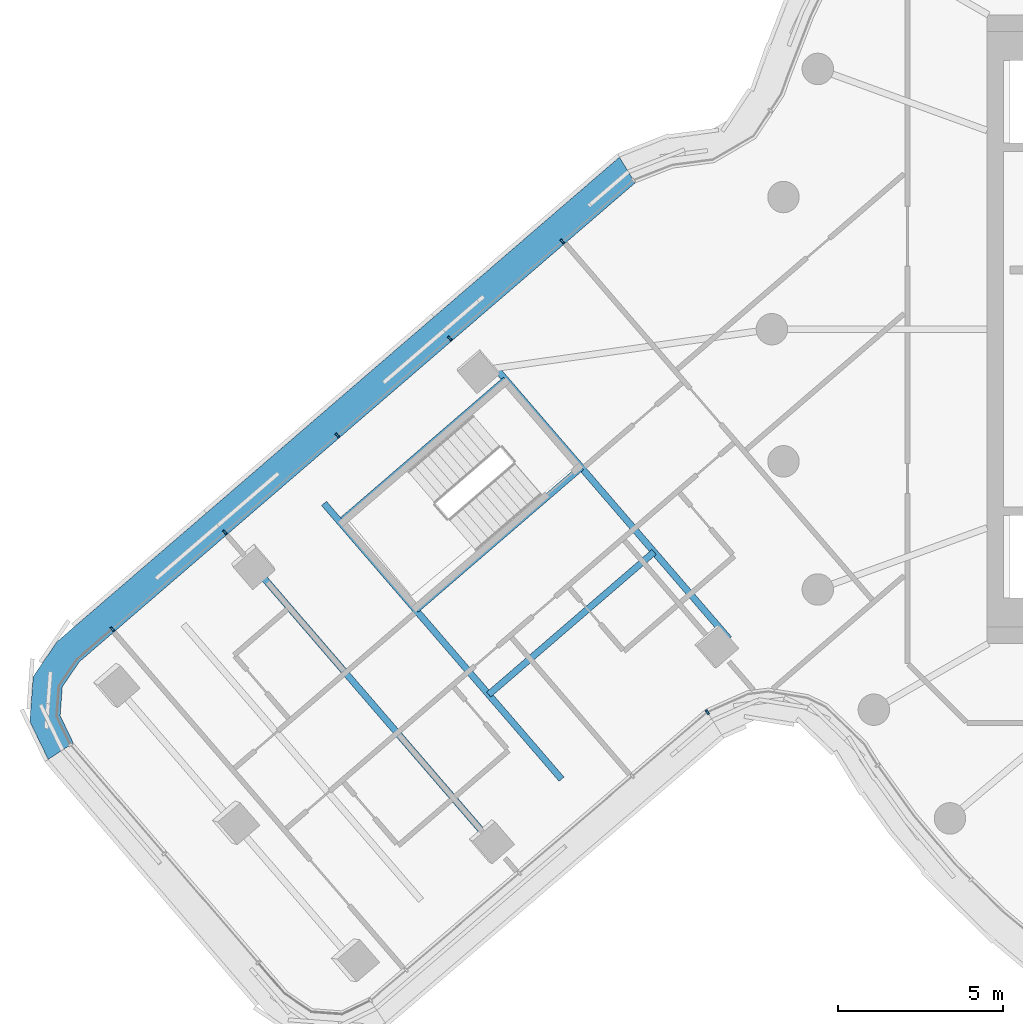
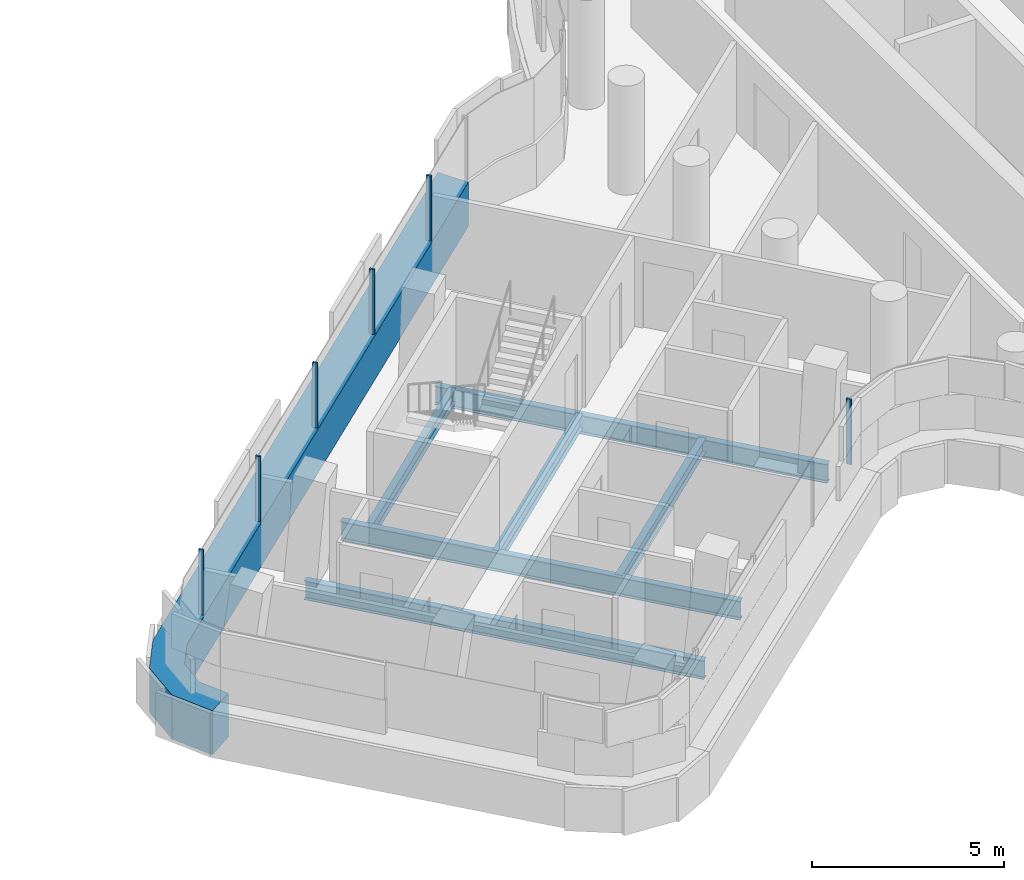
# One storey, part 8 of 34: 7 members, 6 beams, 2 elements without a shape of their own.
"""IFC4 building model written with IfcOpenShell, lengths in metres."""

import ifcopenshell
import ifcopenshell.guid

model = None  # the IFC model being written
_history = None  # IfcOwnerHistory: only IFC2X3 demands one
_inside = {}  # id of a spatial element -> (the spatial element, [elements in it])
_under = {}  # id of a project, library or spatial element -> (it, [spatial elements below it])
_declared = {}  # id of a project -> (the project, [libraries it declares])
_typed = {}  # id of a type object -> (the type object, [elements of that type])
_made_of = {}  # id of a material, layer set ... -> (it, [elements and type objects made of it])


def new_model(schema):
    """Start an empty IFC model of exactly this schema.

    Asked for "IFC4X3", IfcOpenShell would pick the latest addendum, in which some entities
    have other attributes; the version numbers below select the first issue.
    IFC2X3 requires an IfcOwnerHistory on every rooted entity: one is made here for all.
    """
    global model, _history
    if schema == "IFC4X3":
        model = ifcopenshell.file(schema_version=(4, 3, 0, 0))
    else:
        model = ifcopenshell.file(schema=schema)
    _inside.clear()
    _under.clear()
    _declared.clear()
    _typed.clear()
    _made_of.clear()
    _history = None
    if model.schema == "IFC2X3":
        org = make("IfcOrganization", Name="unknown")
        user = make(
            "IfcPersonAndOrganization",
            ThePerson=make("IfcPerson", FamilyName="unknown"),
            TheOrganization=org,
        )
        app = make(
            "IfcApplication",
            ApplicationDeveloper=org,
            Version="unknown",
            ApplicationFullName="unknown",
            ApplicationIdentifier="unknown",
        )
        _history = make(
            "IfcOwnerHistory",
            OwningUser=user,
            OwningApplication=app,
            ChangeAction="ADDED",
            CreationDate=0,
        )
    return model


def make(cls, **values):
    """One entity of the class cls with the attributes given. An attribute that is None is left unset."""
    return model.create_entity(
        cls, **{name: value for name, value in values.items() if value is not None}
    )


def rooted(cls, **values):
    """An entity with a GlobalId (a new one), such as an element, a storey or a relation."""
    return make(cls, GlobalId=ifcopenshell.guid.new(), OwnerHistory=_history, **values)


def si_unit(unit_type, name, prefix=None):
    """IfcSIUnit, for example si_unit("LENGTHUNIT", "METRE", prefix="MILLI")."""
    return make("IfcSIUnit", UnitType=unit_type, Prefix=prefix, Name=name)


def assignment(units):
    """IfcUnitAssignment: the units of a project."""
    return None if units is None else make("IfcUnitAssignment", Units=units)


def point(xyz):
    """IfcCartesianPoint."""
    return None if xyz is None else make("IfcCartesianPoint", Coordinates=xyz)


def direction(xyz):
    """IfcDirection."""
    return None if xyz is None else make("IfcDirection", DirectionRatios=xyz)


def frame(location, z_axis=None, x_axis=None):
    """IfcAxis2Placement3D, a coordinate frame: its origin and axes. An axis left out is left unset."""
    return make(
        "IfcAxis2Placement3D",
        Location=point(location),
        Axis=direction(z_axis),
        RefDirection=direction(x_axis),
    )


def frame_2d(location, x_axis=None):
    """IfcAxis2Placement2D, a coordinate frame in the plane: its origin and x axis."""
    return make(
        "IfcAxis2Placement2D", Location=point(location), RefDirection=direction(x_axis)
    )


def origin():
    """The frame at (0, 0, 0) with its axes left unset."""
    return frame((0.0, 0.0, 0.0))


def origin_2d():
    """The frame at (0, 0) in the plane with its x axis left unset."""
    return frame_2d((0.0, 0.0))


def place(relative_to, where):
    """IfcLocalPlacement: puts the frame where relative to a parent placement (None: the world)."""
    return make(
        "IfcLocalPlacement", PlacementRelTo=relative_to, RelativePlacement=where
    )


def context(
    kind, dimensions, precision=None, world=None, true_north=None, identifier=None
):
    """IfcGeometricRepresentationContext, for example the 3D "Model" context."""
    return make(
        "IfcGeometricRepresentationContext",
        ContextIdentifier=identifier,
        ContextType=kind,
        CoordinateSpaceDimension=dimensions,
        Precision=precision,
        WorldCoordinateSystem=world,
        TrueNorth=true_north,
    )


def subcontext(parent, identifier, kind, view, scale=None):
    """IfcGeometricRepresentationSubContext, for example "Body" below "Model"."""
    return make(
        "IfcGeometricRepresentationSubContext",
        ContextIdentifier=identifier,
        ContextType=kind,
        ParentContext=parent,
        TargetScale=scale,
        TargetView=view,
    )


def project(units=None, contexts=None):
    """IfcProject with its units and contexts."""
    return rooted(
        "IfcProject",
        Name="project",
        RepresentationContexts=contexts,
        UnitsInContext=assignment(units),
    )


def spatial(cls, under=None, at=None, **own):
    """A site, building, storey or space (cls), placed at a placement, below another one or the project."""
    s = rooted(cls, ObjectPlacement=at, **own)
    if under is not None:
        _under.setdefault(under.id(), (under, []))[1].append(s)
    return s


def polyline(points):
    """IfcPolyline through the points."""
    return make("IfcPolyline", Points=[point(p) for p in points])


def profile(cls, at=None, kind="AREA", **sizes):
    """A parametric profile (cls). Its sizes go by their IFC names, for example OverallWidth=200.0."""
    return make(cls, ProfileType=kind, Position=at, **sizes)


def rectangle(**sizes):
    """IfcRectangleProfileDef."""
    return profile("IfcRectangleProfileDef", **sizes)


def i_section(**sizes):
    """IfcIShapeProfileDef."""
    return profile("IfcIShapeProfileDef", **sizes)


def outline(outer, holes=None, kind="AREA"):
    """IfcArbitraryClosedProfileDef: a profile drawn as a closed curve; with holes, ...WithVoids."""
    if holes is None:
        return make("IfcArbitraryClosedProfileDef", ProfileType=kind, OuterCurve=outer)
    return make(
        "IfcArbitraryProfileDefWithVoids",
        ProfileType=kind,
        OuterCurve=outer,
        InnerCurves=holes,
    )


def extrude(swept, where, along, depth):
    """IfcExtrudedAreaSolid: the profile swept, set in the frame where, extruded along a direction by depth."""
    return make(
        "IfcExtrudedAreaSolid",
        SweptArea=swept,
        Position=where,
        ExtrudedDirection=direction(along),
        Depth=depth,
    )


def shape(context_of_items, identifier, shape_type, items):
    """IfcShapeRepresentation: the items that make up one representation, for example the "Body"."""
    return make(
        "IfcShapeRepresentation",
        ContextOfItems=context_of_items,
        RepresentationIdentifier=identifier,
        RepresentationType=shape_type,
        Items=items,
    )


def material(Name=None, Category=None):
    """IfcMaterial."""
    return make("IfcMaterial", Name=Name, Category=Category)


def layer(
    of_material, thickness, ventilated=None, Name=None, Category=None, Priority=None
):
    """IfcMaterialLayer: one layer of a wall or slab, of a material (None: an air gap)."""
    return make(
        "IfcMaterialLayer",
        Material=of_material,
        LayerThickness=thickness,
        IsVentilated=ventilated,
        Name=Name,
        Category=Category,
        Priority=Priority,
    )


def layer_set(layers, Name=None):
    """IfcMaterialLayerSet."""
    return make("IfcMaterialLayerSet", MaterialLayers=layers, LayerSetName=Name)


def material_profile(
    of_material, cross_section, Name=None, Category=None, Priority=None
):
    """IfcMaterialProfile: a cross section and its material."""
    return make(
        "IfcMaterialProfile",
        Name=Name,
        Material=of_material,
        Profile=cross_section,
        Priority=Priority,
        Category=Category,
    )


def profile_set(profiles, Name=None, composite=None):
    """IfcMaterialProfileSet."""
    return make(
        "IfcMaterialProfileSet",
        Name=Name,
        MaterialProfiles=profiles,
        CompositeProfile=composite,
    )


def made_of(thing, what):
    """Note that an element or type object is made of a material, layer set ...; save() writes the relation."""
    if what is not None:
        _made_of.setdefault(what.id(), (what, []))[1].append(thing)
    return thing


def type_object(cls, material=None, **own):
    """A type object (cls), such as IfcWallType, which elements share."""
    return made_of(rooted(cls, **own), material)


def element(
    cls,
    number,
    at=None,
    inside=None,
    cuts=None,
    type_object=None,
    material=None,
    context=None,
    identifier="Body",
    shape_type=None,
    held_by="IfcProductDefinitionShape",
    body=None,
    shapes=None,
    **own,
):
    """One element of the class cls, such as IfcWall. Its Tag is "e" and its number.

    at: its placement. inside: the storey or other place that contains it. cuts: it is an
    opening in that element (IfcRelVoidsElement). A single representation is given by context,
    identifier, shape_type and body (its items); several are given by shapes. held_by: the class
    of the entity that holds the representations. save() writes the other relations.
    """
    e = rooted(cls, Tag="e%d" % number, ObjectPlacement=at, **own)
    if body is not None:
        shapes = [shape(context, identifier, shape_type, body)]
    if shapes is not None:
        e.Representation = make(held_by, Representations=shapes)
    if inside is not None:
        _inside.setdefault(inside.id(), (inside, []))[1].append(e)
    if cuts is not None:
        rooted(
            "IfcRelVoidsElement", RelatingBuildingElement=cuts, RelatedOpeningElement=e
        )
    if type_object is not None:
        _typed.setdefault(type_object.id(), (type_object, []))[1].append(e)
    return made_of(e, material)


def aggregate(whole, parts):
    """IfcRelAggregates: a whole, such as a stair, and the parts it consists of."""
    return rooted("IfcRelAggregates", RelatingObject=whole, RelatedObjects=parts)


def save(model, path):
    """Write the relations noted so far, then the file.

    IfcRelAggregates (storeys below a building ...), IfcRelContainedInSpatialStructure (elements
    in a storey), IfcRelDefinesByType, IfcRelAssociatesMaterial and IfcRelDeclares: one each for
    every whole, place, type object, material and project.
    """
    for whole, parts in _under.values():
        aggregate(whole, parts)
    for where, things in _inside.values():
        rooted(
            "IfcRelContainedInSpatialStructure",
            RelatedElements=things,
            RelatingStructure=where,
        )
    for kind, things in _typed.values():
        rooted("IfcRelDefinesByType", RelatedObjects=things, RelatingType=kind)
    for what, things in _made_of.values():
        rooted("IfcRelAssociatesMaterial", RelatedObjects=things, RelatingMaterial=what)
    for by, libraries in _declared.values():
        rooted("IfcRelDeclares", RelatingContext=by, RelatedDefinitions=libraries)
    model.write(path)


model = new_model("IFC4")

# Units and contexts
model_context = context("Model", 3, precision=1e-05, world=origin(), true_north=direction((0.0, 1.0)))
body_context = subcontext(model_context, "Body", "Model", "MODEL_VIEW")
ifc_project = project(units=[si_unit("LENGTHUNIT", "METRE"), si_unit("AREAUNIT", "SQUARE_METRE"), si_unit("VOLUMEUNIT", "CUBIC_METRE"), si_unit("PLANEANGLEUNIT", "RADIAN"), si_unit("MASSUNIT", "GRAM", prefix="KILO")], contexts=[model_context])

# Site, building, storey
site_placement = place(None, origin())
site = spatial("IfcSite", under=ifc_project, at=site_placement, CompositionType="ELEMENT")
building_placement = place(site_placement, origin())
building = spatial("IfcBuilding", under=site, at=building_placement, Name="Tamarind Cross Interchange Tower", CompositionType="ELEMENT")
storey_placement = place(building_placement, frame((0.0, 0.0, 182.5)))
storey = spatial("IfcBuildingStorey", under=building, at=storey_placement, Name="L45", CompositionType="ELEMENT", Elevation=182.5)

# Beams
ifc_material_1 = material(Name="Steel Q355B", Category="steel")
ifc_material_profile_1 = material_profile(ifc_material_1, i_section(OverallWidth=0.198974609375, OverallDepth=0.446044921875, WebThickness=0.008056640625, FlangeThickness=0.011962890625, FilletRadius=0.012939453125, at=origin_2d()), Name="HN 446x199x8x12")
ifc_profile_set_1 = profile_set([ifc_material_profile_1], Name="Steel Q355B")
beam_type_1 = type_object("IfcBeamType", Name="Composite beam HN 446x199x8x12 Q355B", PredefinedType="BEAM", material=ifc_profile_set_1)
beam_1_placement = place(storey_placement, frame((-31.047607421875, -1.525390625, -0.363037109375), z_axis=(-0.757607833289, -0.65271002056, 0.0), x_axis=(0.65271002056, -0.757607833289, 0.0)))
element("IfcBeam", 1, at=beam_1_placement, inside=storey, type_object=beam_type_1, Name="Beam W-tr0", PredefinedType="BEAM", context=body_context, shape_type="SweptSolid", body=[
    extrude(i_section(OverallWidth=0.198974609375, OverallDepth=0.446044921875, WebThickness=0.008056640625, FlangeThickness=0.011962890625, FilletRadius=0.012939453125, at=origin_2d()), origin(), (0.0, 0.0, 1.0), 6.50048828125),
])
for number, where, z_axis, x_axis, name in (
    (2, (-28.762939453125, -4.1767578125, -0.363037109375), (-0.75759349423, -0.652726663697, 0.0), (0.652726663697, -0.75759349423, 0.0), "Beam W-tr1"),
    (3, (-26.56005859375, -6.73388671875, -0.363037109375), (-0.757611786015, -0.652705432559, 0.0), (0.652705432559, -0.757611786015, 0.0), "Beam W-stripp"),
):
    element("IfcBeam", number, at=place(storey_placement, frame(where, z_axis=z_axis, x_axis=x_axis)), inside=storey, type_object=beam_type_1, Name=name, PredefinedType="BEAM", context=body_context, shape_type="SweptSolid", body=[
        extrude(i_section(OverallWidth=0.198974609375, OverallDepth=0.446044921875, WebThickness=0.008056640625, FlangeThickness=0.011962890625, FilletRadius=0.012939453125, at=origin_2d()), origin(), (0.0, 0.0, 1.0), 6.60009765625),
    ])
ifc_material_profile_2 = material_profile(ifc_material_1, i_section(OverallWidth=0.198974609375, OverallDepth=0.595947265625, WebThickness=0.010009765625, FlangeThickness=0.014892578125, FilletRadius=0.012939453125, at=origin_2d()), Name="HN 596x199x10x15")
ifc_profile_set_2 = profile_set([ifc_material_profile_2], Name="Steel Q355B")
beam_type_2 = type_object("IfcBeamType", Name="Composite beam HN 596x199x10x15 Q355B", PredefinedType="BEAM", material=ifc_profile_set_2)
beam_2_placement = place(storey_placement, frame((-31.348388671875, -1.17626953125, -0.43798828125), z_axis=(0.652732173257, -0.757588747274, 0.0), x_axis=(0.757588747274, 0.652732173257, 0.0)))
element("IfcBeam", 4, at=beam_2_placement, inside=storey, type_object=beam_type_2, Name="Beam W-x299", PredefinedType="BEAM", context=body_context, shape_type="SweptSolid", body=[
    extrude(i_section(OverallWidth=0.198974609375, OverallDepth=0.595947265625, WebThickness=0.010009765625, FlangeThickness=0.014892578125, FilletRadius=0.012939453125, at=origin_2d()), origin(), (0.0, 0.0, 1.0), 10.803466796875),
])
for number, where, z_axis, x_axis, name in (
    (5, (-36.537353515625, -5.26513671875, -0.43798828125), (0.652724900403, -0.757595013443, 0.0), (0.757595013443, 0.652724900403, 0.0), "Beam W-x364"),
    (6, (-38.6962890625, -7.125244140625, -0.43798828125), (0.652713925198, -0.757604469266, 0.0), (0.757604469266, 0.652713925198, 0.0), "Beam W-x393"),
):
    element("IfcBeam", number, at=place(storey_placement, frame(where, z_axis=z_axis, x_axis=x_axis)), inside=storey, type_object=beam_type_2, Name=name, PredefinedType="BEAM", context=body_context, shape_type="SweptSolid", body=[
        extrude(i_section(OverallWidth=0.198974609375, OverallDepth=0.595947265625, WebThickness=0.010009765625, FlangeThickness=0.014892578125, FilletRadius=0.012939453125, at=origin_2d()), origin(), (0.0, 0.0, 1.0), 11.0),
    ])

# Curtain wall, members
ifc_material_2 = material(Name="Aluminium 6063-T6", Category="aluminium")
ifc_layer_1 = layer(ifc_material_2, 0.139892578125)
ifc_layer_set_1 = layer_set([ifc_layer_1], Name="Aluminium 6063-T6")
curtain_wall_type_1 = type_object("IfcCurtainWallType", Name="Hotel curtain wall, 4.5 m bays", PredefinedType="NOTDEFINED", material=ifc_layer_set_1)
curtain_wall_1_placement = place(storey_placement, origin())
curtain_wall_1 = element("IfcCurtainWall", 7, at=curtain_wall_1_placement, inside=storey, type_object=curtain_wall_type_1, Name="CWS-L45-03", PredefinedType="NOTDEFINED")
ifc_material_3 = material(Name="Aluminium and insulated spandrel panel", Category="aluminium")
member_type_1 = type_object("IfcMemberType", Name="Floor-edge blade transom", PredefinedType="USERDEFINED", material=ifc_material_3)
member_1_placement = place(storey_placement, origin())
member_1 = element("IfcMember", 8, at=member_1_placement, type_object=member_type_1, Name="CWT-L45-03", ObjectType="TRANSOM", PredefinedType="USERDEFINED", context=body_context, shape_type="SweptSolid", body=[
    extrude(outline(polyline([(-27.135986328125, 4.418701171875), (-43.931396484375, -10.051513671875), (-44.446533203125, -10.808349609375), (-44.511474609375, -11.680419921875), (-44.11376953125, -12.5048828125), (-44.873046875, -13.00244140625), (-45.4267578125, -11.85400390625), (-45.326171875, -10.5009765625), (-44.608642578125, -9.447021484375), (-27.607666015625, 5.2001953125), (-27.135986328125, 4.418701171875)])), origin(), (0.0, 0.0, 1.0), 1.39990234375),
])
ifc_material_profile_3 = material_profile(ifc_material_2, rectangle(XDim=0.06005859375, YDim=0.139892578125, at=origin_2d()), Name="Mullion CW2")
ifc_profile_set_3 = profile_set([ifc_material_profile_3], Name="Aluminium 6063-T6")
member_type_2 = type_object("IfcMemberType", Name="Mullion CW2", PredefinedType="MULLION", material=ifc_profile_set_3)
member_2_placement = place(storey_placement, frame((-29.33740234375, 2.654052734375, 1.39990234375), z_axis=(0.0, 0.0, 1.0), x_axis=(-0.757596883339, -0.652722730074, 0.0)))
member_2 = element("IfcMember", 9, at=member_2_placement, type_object=member_type_2, Name="CWM-L45-03-01", PredefinedType="MULLION", context=body_context, shape_type="SweptSolid", body=[
    extrude(rectangle(XDim=0.06005859375, YDim=0.139892578125, at=origin_2d()), origin(), (0.0, 0.0, 1.0), 2.06005859375),
])
member_3_placement = place(storey_placement, frame((-32.737060546875, -0.275146484375, 1.39990234375), z_axis=(0.0, 0.0, 1.0), x_axis=(-0.757596883339, -0.652722730074, 0.0)))
member_3 = element("IfcMember", 10, at=member_3_placement, type_object=member_type_2, Name="CWM-L45-03-02", PredefinedType="MULLION", context=body_context, shape_type="SweptSolid", body=[
    extrude(rectangle(XDim=0.06005859375, YDim=0.139892578125, at=origin_2d()), origin(), (0.0, 0.0, 1.0), 2.06005859375),
])
member_4_placement = place(storey_placement, frame((-36.13720703125, -3.204345703125, 1.39990234375), z_axis=(0.0, 0.0, 1.0), x_axis=(-0.757596883339, -0.652722730074, 0.0)))
member_4 = element("IfcMember", 11, at=member_4_placement, type_object=member_type_2, Name="CWM-L45-03-03", PredefinedType="MULLION", context=body_context, shape_type="SweptSolid", body=[
    extrude(rectangle(XDim=0.06005859375, YDim=0.139892578125, at=origin_2d()), origin(), (0.0, 0.0, 1.0), 2.06005859375),
])
member_5_placement = place(storey_placement, frame((-39.537109375, -6.1337890625, 1.39990234375), z_axis=(0.0, 0.0, 1.0), x_axis=(-0.757596883339, -0.652722730074, 0.0)))
member_5 = element("IfcMember", 12, at=member_5_placement, type_object=member_type_2, Name="CWM-L45-03-04", PredefinedType="MULLION", context=body_context, shape_type="SweptSolid", body=[
    extrude(rectangle(XDim=0.06005859375, YDim=0.139892578125, at=origin_2d()), origin(), (0.0, 0.0, 1.0), 2.06005859375),
])
member_6_placement = place(storey_placement, frame((-42.93701171875, -9.06298828125, 1.39990234375), z_axis=(0.0, 0.0, 1.0), x_axis=(-0.757596883339, -0.652722730074, 0.0)))
member_6 = element("IfcMember", 13, at=member_6_placement, type_object=member_type_2, Name="CWM-L45-03-05", PredefinedType="MULLION", context=body_context, shape_type="SweptSolid", body=[
    extrude(rectangle(XDim=0.06005859375, YDim=0.139892578125, at=origin_2d()), origin(), (0.0, 0.0, 1.0), 2.06005859375),
])
aggregate(curtain_wall_1, [member_2, member_3, member_4, member_5, member_6, member_1])

# Curtain wall, member
ifc_layer_2 = layer(ifc_material_2, 0.14990234375)
ifc_layer_set_2 = layer_set([ifc_layer_2], Name="Aluminium 6063-T6")
curtain_wall_type_2 = type_object("IfcCurtainWallType", Name="Winter garden and crown curtain wall", PredefinedType="NOTDEFINED", material=ifc_layer_set_2)
curtain_wall_2_placement = place(storey_placement, origin())
curtain_wall_2 = element("IfcCurtainWall", 14, at=curtain_wall_2_placement, inside=storey, type_object=curtain_wall_type_2, Name="CWS-L45-06", PredefinedType="NOTDEFINED")
ifc_material_profile_4 = material_profile(ifc_material_2, rectangle(XDim=0.06005859375, YDim=0.14990234375, at=origin_2d()), Name="Mullion CW6")
ifc_profile_set_4 = profile_set([ifc_material_profile_4], Name="Aluminium 6063-T6")
member_type_3 = type_object("IfcMemberType", Name="Mullion CW6", PredefinedType="MULLION", material=ifc_profile_set_4)
member_7_placement = place(storey_placement, frame((-24.951416015625, -11.57373046875, 1.39990234375), z_axis=(0.0, 0.0, 1.0), x_axis=(0.844999696282, 0.534766784013, 0.0)))
member_7 = element("IfcMember", 15, at=member_7_placement, type_object=member_type_3, Name="CWM-L45-06-00", PredefinedType="MULLION", context=body_context, shape_type="SweptSolid", body=[
    extrude(rectangle(XDim=0.06005859375, YDim=0.14990234375, at=origin_2d()), origin(), (0.0, 0.0, 1.0), 2.06005859375),
])
aggregate(curtain_wall_2, [member_7])

save(model, "model.ifc")
